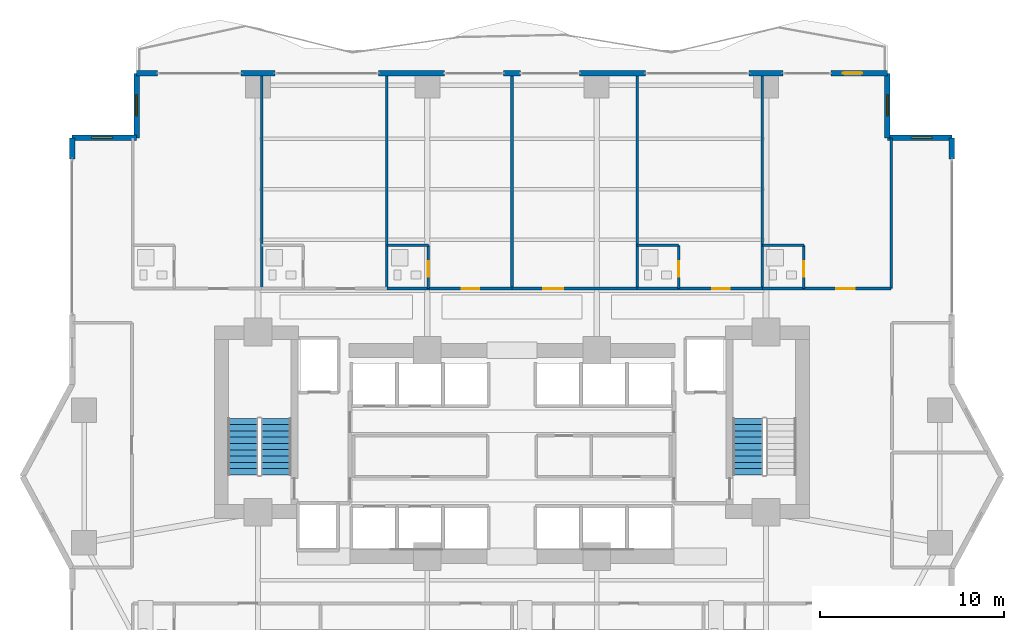
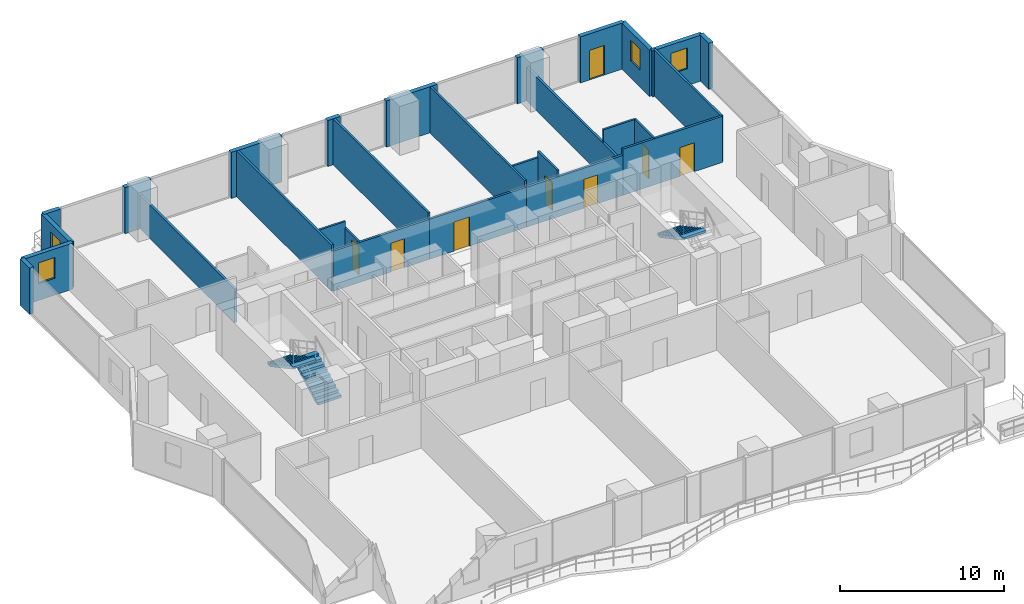
# One storey, part 24 of 30: 29 walls, 8 doors, 4 windows, 3 stair flights, 12 openings, 2 elements without a shape of their own.
"""IFC4 building model written with IfcOpenShell, lengths in metres."""

from ifc_helpers import new_model, si_unit, direction, frame, frame_2d, origin, place, context, subcontext, project, spatial, polyline, rectangle, outline, extrude, material, layer, layer_set, type_object, element, fill, aggregate, save


model = new_model("IFC4")

# Units and contexts
model_context = context("Model", 3, precision=1e-05, world=origin(), true_north=direction((0.0, 1.0)))
body_context = subcontext(model_context, "Body", "Model", "MODEL_VIEW")
ifc_project = project(units=[si_unit("LENGTHUNIT", "METRE"), si_unit("AREAUNIT", "SQUARE_METRE"), si_unit("VOLUMEUNIT", "CUBIC_METRE"), si_unit("PLANEANGLEUNIT", "RADIAN"), si_unit("MASSUNIT", "GRAM", prefix="KILO")], contexts=[model_context])

# Site, building, storey
site_placement = place(None, origin())
site = spatial("IfcSite", under=ifc_project, at=site_placement, CompositionType="ELEMENT")
building_placement = place(site_placement, origin())
building = spatial("IfcBuilding", under=site, at=building_placement, Name="Zuhayl Quay Hotel", CompositionType="ELEMENT")
storey_placement = place(building_placement, frame((0.0, 0.0, 135.800048828125)))
storey = spatial("IfcBuildingStorey", under=building, at=storey_placement, Name="L34", CompositionType="ELEMENT", Elevation=135.800048828125)

# Wall
ifc_material_1 = material(Name="Precast concrete C45/55", Category="concrete")
ifc_layer_1 = layer(ifc_material_1, 0.300048828125, Name="Precast concrete C45/55", Category="concrete")
ifc_layer_set_1 = layer_set([ifc_layer_1], Name="Precast concrete C45/55")
wall_type_1 = type_object("IfcWallType", Name="WL_EXT_300", PredefinedType="STANDARD", material=ifc_layer_set_1)
wall_1_placement = place(storey_placement, frame((-23.89990234375, 23.75, 0.0), z_axis=(0.0, 0.0, 1.0), x_axis=(0.0, 1.0, 0.0)))
element("IfcWall", 1, at=wall_1_placement, inside=storey, type_object=wall_type_1, Name="L34 Exterior Precast Wall ENV_L34_E05_EW2", PredefinedType="STANDARD", context=body_context, shape_type="SweptSolid", body=[
    extrude(rectangle(XDim=1.14990234375, YDim=0.300048828125, at=frame_2d((0.574951171875, 0.0))), origin(), (0.0, 0.0, 1.0), 3.429931640625),
])

# Wall, opening, window
wall_2_placement = place(storey_placement, frame((-23.89990234375, 24.89990234375, 0.0), z_axis=(0.0, 0.0, 1.0), x_axis=(1.0, 0.0, 0.0)))
wall_2 = element("IfcWall", 2, at=wall_2_placement, inside=storey, type_object=wall_type_1, Name="L34 Exterior Precast Wall ENV_L34_EW06", PredefinedType="STANDARD", context=body_context, shape_type="SweptSolid", body=[
    extrude(rectangle(XDim=3.5, YDim=0.300048828125, at=frame_2d((1.75, 0.0))), origin(), (0.0, 0.0, 1.0), 3.429931640625),
])
opening_1_placement = place(wall_2_placement, frame((1.06494140625, 0.0, 1.25)))
opening_1 = element("IfcOpeningElement", 3, at=opening_1_placement, cuts=wall_2, Name="Opening W01N", PredefinedType="OPENING", context=body_context, shape_type="SweptSolid", body=[
    extrude(rectangle(XDim=1.14990234375, YDim=1.550048828125, at=frame_2d((0.574951171875, 0.77490234375))), frame((0.0, 0.159912109375, 0.0), z_axis=(0.0, -1.0, 0.0), x_axis=(1.0, 0.0, 0.0)), (0.0, 0.0, 1.0), 0.320068359375),
])
ifc_material_2 = material(Name="Dark Ceramic-Fritted Solar Glass", Category="glass")
window_type = type_object("IfcWindowType", Name="WN_NOTCH_1350", PartitioningType="SINGLE_PANEL", PredefinedType="WINDOW", material=ifc_material_2)
window_1_placement = place(opening_1_placement, origin())
window_1 = element("IfcWindow", 4, at=window_1_placement, inside=storey, type_object=window_type, Name="L34 Corner Notch Window 6", OverallHeight=1.550048828125, OverallWidth=1.14990234375, PartitioningType="SINGLE_PANEL", PredefinedType="WINDOW", context=body_context, shape_type="SweptSolid", body=[
    extrude(rectangle(XDim=1.14990234375, YDim=1.550048828125, at=frame_2d((0.574951171875, 0.77490234375))), frame((0.0, 0.030029296875, 0.0), z_axis=(0.0, -1.0, 0.0), x_axis=(1.0, 0.0, 0.0)), (0.0, 0.0, 1.0), 0.06005859375),
])
fill(opening_1, window_1)

wall_3_placement = place(storey_placement, frame((-20.39990234375, 24.89990234375, 0.0), z_axis=(0.0, 0.0, 1.0), x_axis=(0.0, 1.0, 0.0)))
wall_3 = element("IfcWall", 5, at=wall_3_placement, inside=storey, type_object=wall_type_1, Name="L34 Exterior Precast Wall ENV_L34_EW07", PredefinedType="STANDARD", context=body_context, shape_type="SweptSolid", body=[
    extrude(rectangle(XDim=3.5, YDim=0.300048828125, at=frame_2d((1.75, 0.0))), origin(), (0.0, 0.0, 1.0), 3.429931640625),
])
opening_2_placement = place(wall_3_placement, frame((1.18505859375, 0.0, 1.25)))
opening_2 = element("IfcOpeningElement", 6, at=opening_2_placement, cuts=wall_3, Name="Opening W01N", PredefinedType="OPENING", context=body_context, shape_type="SweptSolid", body=[
    extrude(rectangle(XDim=1.14990234375, YDim=1.550048828125, at=frame_2d((0.574951171875, 0.77490234375))), frame((0.0, 0.159912109375, 0.0), z_axis=(0.0, -1.0, 0.0), x_axis=(1.0, 0.0, 0.0)), (0.0, 0.0, 1.0), 0.320068359375),
])
window_2_placement = place(opening_2_placement, origin())
window_2 = element("IfcWindow", 7, at=window_2_placement, inside=storey, type_object=window_type, Name="L34 Corner Notch Window 7", OverallHeight=1.550048828125, OverallWidth=1.14990234375, PartitioningType="SINGLE_PANEL", PredefinedType="WINDOW", context=body_context, shape_type="SweptSolid", body=[
    extrude(rectangle(XDim=1.14990234375, YDim=1.550048828125, at=frame_2d((0.574951171875, 0.77490234375))), frame((0.0, 0.030029296875, 0.0), z_axis=(0.0, -1.0, 0.0), x_axis=(1.0, 0.0, 0.0)), (0.0, 0.0, 1.0), 0.06005859375),
])
fill(opening_2, window_2)

# Walls
wall_4_placement = place(storey_placement, frame((-20.39990234375, 28.39990234375, 0.0), z_axis=(0.0, 0.0, 1.0), x_axis=(1.0, 0.0, 0.0)))
element("IfcWall", 8, at=wall_4_placement, inside=storey, type_object=wall_type_1, Name="L34 Exterior Precast Wall ENV_L34_N_EW1", PredefinedType="STANDARD", context=body_context, shape_type="SweptSolid", body=[
    extrude(rectangle(XDim=1.14990234375, YDim=0.300048828125, at=frame_2d((0.574951171875, 0.0))), origin(), (0.0, 0.0, 1.0), 3.429931640625),
])
wall_5_placement = place(storey_placement, frame((-14.719970703125, 28.39990234375, 0.0), z_axis=(0.0, 0.0, 1.0), x_axis=(1.0, 0.0, 0.0)))
element("IfcWall", 9, at=wall_5_placement, inside=storey, type_object=wall_type_1, Name="L34 Exterior Precast Wall ENV_L34_N_EW2", PredefinedType="STANDARD", context=body_context, shape_type="SweptSolid", body=[
    extrude(rectangle(XDim=1.840087890625, YDim=0.300048828125, at=frame_2d((0.919921875, 0.0))), origin(), (0.0, 0.0, 1.0), 3.429931640625),
])
wall_6_placement = place(storey_placement, frame((-7.25, 28.39990234375, 0.0), z_axis=(0.0, 0.0, 1.0), x_axis=(1.0, 0.0, 0.0)))
element("IfcWall", 10, at=wall_6_placement, inside=storey, type_object=wall_type_1, Name="L34 Exterior Precast Wall ENV_L34_N_EW3", PredefinedType="STANDARD", context=body_context, shape_type="SweptSolid", body=[
    extrude(rectangle(XDim=3.570068359375, YDim=0.300048828125, at=frame_2d((1.78515625, 0.0))), origin(), (0.0, 0.0, 1.0), 3.429931640625),
])
wall_7_placement = place(storey_placement, frame((-0.449951171875, 28.39990234375, 0.0), z_axis=(0.0, 0.0, 1.0), x_axis=(1.0, 0.0, 0.0)))
element("IfcWall", 11, at=wall_7_placement, inside=storey, type_object=wall_type_1, Name="L34 Exterior Precast Wall ENV_L34_N_EW4", PredefinedType="STANDARD", context=body_context, shape_type="SweptSolid", body=[
    extrude(rectangle(XDim=0.89990234375, YDim=0.300048828125, at=frame_2d((0.449951171875, 0.0))), origin(), (0.0, 0.0, 1.0), 3.429931640625),
])
wall_8_placement = place(storey_placement, frame((3.679931640625, 28.39990234375, 0.0), z_axis=(0.0, 0.0, 1.0), x_axis=(1.0, 0.0, 0.0)))
element("IfcWall", 12, at=wall_8_placement, inside=storey, type_object=wall_type_1, Name="L34 Exterior Precast Wall ENV_L34_N_EW5", PredefinedType="STANDARD", context=body_context, shape_type="SweptSolid", body=[
    extrude(rectangle(XDim=3.570068359375, YDim=0.300048828125, at=frame_2d((1.78515625, 0.0))), origin(), (0.0, 0.0, 1.0), 3.429931640625),
])
wall_9_placement = place(storey_placement, frame((12.8798828125, 28.39990234375, 0.0), z_axis=(0.0, 0.0, 1.0), x_axis=(1.0, 0.0, 0.0)))
element("IfcWall", 13, at=wall_9_placement, inside=storey, type_object=wall_type_1, Name="L34 Exterior Precast Wall ENV_L34_N_EW6", PredefinedType="STANDARD", context=body_context, shape_type="SweptSolid", body=[
    extrude(rectangle(XDim=1.840087890625, YDim=0.300048828125, at=frame_2d((0.919921875, 0.0))), origin(), (0.0, 0.0, 1.0), 3.429931640625),
])

# Wall, opening, door
wall_10_placement = place(storey_placement, frame((17.324951171875, 28.39990234375, 0.0), z_axis=(0.0, 0.0, 1.0), x_axis=(1.0, 0.0, 0.0)))
wall_10 = element("IfcWall", 14, at=wall_10_placement, inside=storey, type_object=wall_type_1, Name="L34 Exterior Precast Wall ENV_L34_N_EW7", PredefinedType="STANDARD", context=body_context, shape_type="SweptSolid", body=[
    extrude(rectangle(XDim=3.074951171875, YDim=0.300048828125, at=frame_2d((1.53759765625, 0.0))), origin(), (0.0, 0.0, 1.0), 3.429931640625),
])
opening_3_placement = place(wall_10_placement, frame((0.64990234375, 0.0, 0.0)))
opening_3 = element("IfcOpeningElement", 15, at=opening_3_placement, cuts=wall_10, Name="Opening DG1", PredefinedType="OPENING", context=body_context, shape_type="SweptSolid", body=[
    extrude(rectangle(XDim=1.050048828125, YDim=2.199951171875, at=frame_2d((0.52490234375, 1.10009765625))), frame((0.0, 0.159912109375, 0.0), z_axis=(0.0, -1.0, 0.0), x_axis=(1.0, 0.0, 0.0)), (0.0, 0.0, 1.0), 0.320068359375),
])
ifc_material_3 = material(Name="Anodised Aluminium and Dark Solar Glass", Category="aluminium")
door_type_1 = type_object("IfcDoorType", Name="DR_EXT_TERR_1050", OperationType="NOTDEFINED", PredefinedType="DOOR", material=ifc_material_3)
door_1_placement = place(opening_3_placement, origin())
door_1 = element("IfcDoor", 16, at=door_1_placement, inside=storey, type_object=door_type_1, Name="L34 North Rippling Balcony Door", OperationType="SINGLE_SWING_LEFT", OverallHeight=2.199951171875, OverallWidth=1.050048828125, PredefinedType="DOOR", context=body_context, shape_type="SweptSolid", body=[
    extrude(rectangle(XDim=1.050048828125, YDim=2.199951171875, at=frame_2d((0.52490234375, 1.10009765625))), frame((0.0, 0.02490234375, 0.0), z_axis=(0.0, -1.0, 0.0), x_axis=(1.0, 0.0, 0.0)), (0.0, 0.0, 1.0), 0.050048828125),
])
fill(opening_3, door_1)

# Wall, opening, window
wall_11_placement = place(storey_placement, frame((20.39990234375, 28.39990234375, 0.0), z_axis=(0.0, 0.0, 1.0), x_axis=(0.0, -1.0, 0.0)))
wall_11 = element("IfcWall", 17, at=wall_11_placement, inside=storey, type_object=wall_type_1, Name="L34 Exterior Precast Wall ENV_L34_EW09", PredefinedType="STANDARD", context=body_context, shape_type="SweptSolid", body=[
    extrude(rectangle(XDim=3.5, YDim=0.300048828125, at=frame_2d((1.75, 0.0))), origin(), (0.0, 0.0, 1.0), 3.429931640625),
])
opening_4_placement = place(wall_11_placement, frame((1.1650390625, 0.0, 1.25)))
opening_4 = element("IfcOpeningElement", 18, at=opening_4_placement, cuts=wall_11, Name="Opening W01N", PredefinedType="OPENING", context=body_context, shape_type="SweptSolid", body=[
    extrude(rectangle(XDim=1.14990234375, YDim=1.550048828125, at=frame_2d((0.574951171875, 0.77490234375))), frame((0.0, 0.159912109375, 0.0), z_axis=(0.0, -1.0, 0.0), x_axis=(1.0, 0.0, 0.0)), (0.0, 0.0, 1.0), 0.320068359375),
])
window_3_placement = place(opening_4_placement, origin())
window_3 = element("IfcWindow", 19, at=window_3_placement, inside=storey, type_object=window_type, Name="L34 Corner Notch Window 9", OverallHeight=1.550048828125, OverallWidth=1.14990234375, PartitioningType="SINGLE_PANEL", PredefinedType="WINDOW", context=body_context, shape_type="SweptSolid", body=[
    extrude(rectangle(XDim=1.14990234375, YDim=1.550048828125, at=frame_2d((0.574951171875, 0.77490234375))), frame((0.0, 0.030029296875, 0.0), z_axis=(0.0, -1.0, 0.0), x_axis=(1.0, 0.0, 0.0)), (0.0, 0.0, 1.0), 0.06005859375),
])
fill(opening_4, window_3)

wall_12_placement = place(storey_placement, frame((20.39990234375, 24.89990234375, 0.0), z_axis=(0.0, 0.0, 1.0), x_axis=(1.0, 0.0, 0.0)))
wall_12 = element("IfcWall", 20, at=wall_12_placement, inside=storey, type_object=wall_type_1, Name="L34 Exterior Precast Wall ENV_L34_EW10", PredefinedType="STANDARD", context=body_context, shape_type="SweptSolid", body=[
    extrude(rectangle(XDim=3.5, YDim=0.300048828125, at=frame_2d((1.75, 0.0))), origin(), (0.0, 0.0, 1.0), 3.429931640625),
])
opening_5_placement = place(wall_12_placement, frame((1.284912109375, 0.0, 1.25)))
opening_5 = element("IfcOpeningElement", 21, at=opening_5_placement, cuts=wall_12, Name="Opening W01N", PredefinedType="OPENING", context=body_context, shape_type="SweptSolid", body=[
    extrude(rectangle(XDim=1.14990234375, YDim=1.550048828125, at=frame_2d((0.574951171875, 0.77490234375))), frame((0.0, 0.159912109375, 0.0), z_axis=(0.0, -1.0, 0.0), x_axis=(1.0, 0.0, 0.0)), (0.0, 0.0, 1.0), 0.320068359375),
])
window_4_placement = place(opening_5_placement, origin())
window_4 = element("IfcWindow", 22, at=window_4_placement, inside=storey, type_object=window_type, Name="L34 Corner Notch Window 10", OverallHeight=1.550048828125, OverallWidth=1.14990234375, PartitioningType="SINGLE_PANEL", PredefinedType="WINDOW", context=body_context, shape_type="SweptSolid", body=[
    extrude(rectangle(XDim=1.14990234375, YDim=1.550048828125, at=frame_2d((0.574951171875, 0.77490234375))), frame((0.0, 0.030029296875, 0.0), z_axis=(0.0, -1.0, 0.0), x_axis=(1.0, 0.0, 0.0)), (0.0, 0.0, 1.0), 0.06005859375),
])
fill(opening_5, window_4)

# Walls
wall_13_placement = place(storey_placement, frame((23.89990234375, 24.89990234375, 0.0), z_axis=(0.0, 0.0, 1.0), x_axis=(0.0, -1.0, 0.0)))
element("IfcWall", 23, at=wall_13_placement, inside=storey, type_object=wall_type_1, Name="L34 Exterior Precast Wall ENV_L34_E11_EW1", PredefinedType="STANDARD", context=body_context, shape_type="SweptSolid", body=[
    extrude(rectangle(XDim=1.14990234375, YDim=0.300048828125, at=frame_2d((0.574951171875, 0.0))), origin(), (0.0, 0.0, 1.0), 3.429931640625),
])
ifc_material_4 = material(Name="Acoustic Gypsum Partition STC-58")
ifc_layer_2 = layer(ifc_material_4, 0.14990234375, Name="Acoustic Gypsum Partition STC-58")
ifc_layer_set_2 = layer_set([ifc_layer_2], Name="Acoustic Gypsum Partition STC-58")
wall_type_2 = type_object("IfcWallType", Name="WL_PART_150", PredefinedType="PARTITIONING", material=ifc_layer_set_2)
wall_14_placement = place(storey_placement, frame((-13.60009765625, 16.699951171875, 0.0), z_axis=(0.0, 0.0, 1.0), x_axis=(0.0, 1.0, 0.0)))
element("IfcWall", 24, at=wall_14_placement, inside=storey, type_object=wall_type_2, Name="L34 Partition IW_L34_NU01_E", PredefinedType="PARTITIONING", context=body_context, shape_type="SweptSolid", body=[
    extrude(rectangle(XDim=11.6201171875, YDim=0.14990234375, at=frame_2d((5.81005859375, 0.0))), origin(), (0.0, 0.0, 1.0), 2.5029296875),
])
for number, where, z_axis, x_axis, name in (
    (25, (-6.800048828125, 16.699951171875, 0.0), (0.0, 0.0, 1.0), (0.0, 1.0, 0.0), "L34 Partition IW_L34_NU02_E"),
    (26, (0.0, 16.699951171875, 0.0), (0.0, 0.0, 1.0), (0.0, 1.0, 0.0), "L34 Partition IW_L34_NU03_E"),
):
    element("IfcWall", number, at=place(storey_placement, frame(where, z_axis=z_axis, x_axis=x_axis)), inside=storey, type_object=wall_type_2, Name=name, PredefinedType="PARTITIONING", context=body_context, shape_type="SweptSolid", body=[
        extrude(rectangle(XDim=11.6201171875, YDim=0.14990234375, at=frame_2d((5.81005859375, 0.0))), origin(), (0.0, 0.0, 1.0), 3.429931640625),
    ])
wall_15_placement = place(storey_placement, frame((6.800048828125, 16.699951171875, 0.0), z_axis=(0.0, 0.0, 1.0), x_axis=(0.0, 1.0, 0.0)))
element("IfcWall", 27, at=wall_15_placement, inside=storey, type_object=wall_type_2, Name="L34 Partition IW_L34_NSAL_3_E", PredefinedType="PARTITIONING", context=body_context, shape_type="SweptSolid", body=[
    extrude(rectangle(XDim=11.64013671875, YDim=0.14990234375, at=frame_2d((5.820068359375, 0.0))), origin(), (0.0, 0.0, 1.0), 3.429931640625),
])
wall_16_placement = place(storey_placement, frame((13.60009765625, 16.699951171875, 0.0), z_axis=(0.0, 0.0, 1.0), x_axis=(0.0, 1.0, 0.0)))
element("IfcWall", 28, at=wall_16_placement, inside=storey, type_object=wall_type_2, Name="L34 Partition IW_L34_NU05_E", PredefinedType="PARTITIONING", context=body_context, shape_type="SweptSolid", body=[
    extrude(rectangle(XDim=11.6201171875, YDim=0.14990234375, at=frame_2d((5.81005859375, 0.0))), origin(), (0.0, 0.0, 1.0), 2.5029296875),
])
wall_17_placement = place(storey_placement, frame((20.60009765625, 16.699951171875, 0.0), z_axis=(0.0, 0.0, 1.0), x_axis=(0.0, 1.0, 0.0)))
element("IfcWall", 29, at=wall_17_placement, inside=storey, type_object=wall_type_2, Name="L34 Partition IW_L34_NU06_E", PredefinedType="PARTITIONING", context=body_context, shape_type="SweptSolid", body=[
    extrude(rectangle(XDim=8.199951171875, YDim=0.14990234375, at=frame_2d((4.10009765625, 0.0))), origin(), (0.0, 0.0, 1.0), 3.429931640625),
])

# Wall, opening, door
ifc_layer_3 = layer(ifc_material_4, 0.159912109375, Name="Acoustic Gypsum Partition STC-58")
ifc_layer_set_3 = layer_set([ifc_layer_3], Name="Acoustic Gypsum Partition STC-58")
wall_type_3 = type_object("IfcWallType", Name="WL_PART_CORR_160", PredefinedType="PARTITIONING", material=ifc_layer_set_3)
wall_18_placement = place(storey_placement, frame((-6.800048828125, 16.699951171875, 0.0), z_axis=(0.0, 0.0, 1.0), x_axis=(1.0, 0.0, 0.0)))
wall_18 = element("IfcWall", 30, at=wall_18_placement, inside=storey, type_object=wall_type_3, Name="L34 Partition IW_L34_NU03_COR", PredefinedType="PARTITIONING", context=body_context, shape_type="SweptSolid", body=[
    extrude(rectangle(XDim=6.800048828125, YDim=0.159912109375, at=frame_2d((3.39990234375, 0.0))), origin(), (0.0, 0.0, 1.0), 2.972900390625),
])
opening_6_placement = place(wall_18_placement, frame((4.074951171875, 0.0, 0.0)))
opening_6 = element("IfcOpeningElement", 31, at=opening_6_placement, cuts=wall_18, Name="Opening D03", PredefinedType="OPENING", context=body_context, shape_type="SweptSolid", body=[
    extrude(rectangle(XDim=0.949951171875, YDim=2.14990234375, at=frame_2d((0.47509765625, 1.074951171875))), frame((0.0, 0.08984375, 0.0), z_axis=(0.0, -1.0, 0.0), x_axis=(1.0, 0.0, 0.0)), (0.0, 0.0, 1.0), 0.179931640625),
])
ifc_material_5 = material(Name="Solid Walnut Acoustic Fire Door")
door_type_2 = type_object("IfcDoorType", Name="DR_SUITE_950", OperationType="NOTDEFINED", PredefinedType="DOOR", material=ifc_material_5)
door_2_placement = place(opening_6_placement, origin())
door_2 = element("IfcDoor", 32, at=door_2_placement, inside=storey, type_object=door_type_2, Name="L34 Deluxe Gulf Guest Room L34-03 Entrance Door", OperationType="SINGLE_SWING_RIGHT", OverallHeight=2.14990234375, OverallWidth=0.949951171875, PredefinedType="DOOR", context=body_context, shape_type="SweptSolid", body=[
    extrude(rectangle(XDim=0.949951171875, YDim=2.14990234375, at=frame_2d((0.47509765625, 1.074951171875))), frame((0.0, 0.02490234375, 0.0), z_axis=(0.0, -1.0, 0.0), x_axis=(1.0, 0.0, 0.0)), (0.0, 0.0, 1.0), 0.050048828125),
])
fill(opening_6, door_2)

wall_19_placement = place(storey_placement, frame((0.0, 16.699951171875, 0.0), z_axis=(0.0, 0.0, 1.0), x_axis=(1.0, 0.0, 0.0)))
wall_19 = element("IfcWall", 33, at=wall_19_placement, inside=storey, type_object=wall_type_3, Name="L34 Partition IW_L34_NSAL_3_S", PredefinedType="PARTITIONING", context=body_context, shape_type="SweptSolid", body=[
    extrude(rectangle(XDim=6.800048828125, YDim=0.159912109375, at=frame_2d((3.39990234375, 0.0))), origin(), (0.0, 0.0, 1.0), 2.972900390625),
])
opening_7_placement = place(wall_19_placement, frame((1.7099609375, 0.0, 0.0)))
opening_7 = element("IfcOpeningElement", 34, at=opening_7_placement, cuts=wall_19, Name="Opening D05A", PredefinedType="OPENING", context=body_context, shape_type="SweptSolid", body=[
    extrude(rectangle(XDim=1.080078125, YDim=2.179931640625, at=frame_2d((0.5400390625, 1.08984375))), frame((0.0, 0.08984375, 0.0), z_axis=(0.0, -1.0, 0.0), x_axis=(1.0, 0.0, 0.0)), (0.0, 0.0, 1.0), 0.179931640625),
])
door_type_3 = type_object("IfcDoorType", Name="DR_INT_1100", OperationType="NOTDEFINED", PredefinedType="DOOR", material=ifc_material_5)
door_3_placement = place(opening_7_placement, origin())
door_3 = element("IfcDoor", 35, at=door_3_placement, inside=storey, type_object=door_type_3, Name="L34 Private Dining Salon Door", OperationType="SINGLE_SWING_LEFT", OverallHeight=2.179931640625, OverallWidth=1.080078125, PredefinedType="DOOR", context=body_context, shape_type="SweptSolid", body=[
    extrude(rectangle(XDim=1.080078125, YDim=2.179931640625, at=frame_2d((0.5400390625, 1.08984375))), frame((0.0, 0.02490234375, 0.0), z_axis=(0.0, -1.0, 0.0), x_axis=(1.0, 0.0, 0.0)), (0.0, 0.0, 1.0), 0.050048828125),
])
fill(opening_7, door_3)

wall_20_placement = place(storey_placement, frame((6.800048828125, 16.699951171875, 0.0), z_axis=(0.0, 0.0, 1.0), x_axis=(1.0, 0.0, 0.0)))
wall_20 = element("IfcWall", 36, at=wall_20_placement, inside=storey, type_object=wall_type_3, Name="L34 Partition IW_L34_NU05_COR", PredefinedType="PARTITIONING", context=body_context, shape_type="SweptSolid", body=[
    extrude(rectangle(XDim=6.800048828125, YDim=0.159912109375, at=frame_2d((3.39990234375, 0.0))), origin(), (0.0, 0.0, 1.0), 2.972900390625),
])
opening_8_placement = place(wall_20_placement, frame((4.074951171875, 0.0, 0.0)))
opening_8 = element("IfcOpeningElement", 37, at=opening_8_placement, cuts=wall_20, Name="Opening D03", PredefinedType="OPENING", context=body_context, shape_type="SweptSolid", body=[
    extrude(rectangle(XDim=0.949951171875, YDim=2.14990234375, at=frame_2d((0.47509765625, 1.074951171875))), frame((0.0, 0.08984375, 0.0), z_axis=(0.0, -1.0, 0.0), x_axis=(1.0, 0.0, 0.0)), (0.0, 0.0, 1.0), 0.179931640625),
])
door_4_placement = place(opening_8_placement, origin())
door_4 = element("IfcDoor", 38, at=door_4_placement, inside=storey, type_object=door_type_2, Name="L34 Deluxe Gulf Guest Room L34-05 Entrance Door", OperationType="SINGLE_SWING_LEFT", OverallHeight=2.14990234375, OverallWidth=0.949951171875, PredefinedType="DOOR", context=body_context, shape_type="SweptSolid", body=[
    extrude(rectangle(XDim=0.949951171875, YDim=2.14990234375, at=frame_2d((0.47509765625, 1.074951171875))), frame((0.0, 0.02490234375, 0.0), z_axis=(0.0, -1.0, 0.0), x_axis=(1.0, 0.0, 0.0)), (0.0, 0.0, 1.0), 0.050048828125),
])
fill(opening_8, door_4)

wall_21_placement = place(storey_placement, frame((13.60009765625, 16.699951171875, 0.0), z_axis=(0.0, 0.0, 1.0), x_axis=(1.0, 0.0, 0.0)))
wall_21 = element("IfcWall", 39, at=wall_21_placement, inside=storey, type_object=wall_type_3, Name="L34 Partition IW_L34_NU06_COR", PredefinedType="PARTITIONING", context=body_context, shape_type="SweptSolid", body=[
    extrude(rectangle(XDim=7.0, YDim=0.159912109375, at=frame_2d((3.5, 0.0))), origin(), (0.0, 0.0, 1.0), 3.429931640625),
])
opening_9_placement = place(wall_21_placement, frame((4.02490234375, 0.0, 0.0)))
opening_9 = element("IfcOpeningElement", 40, at=opening_9_placement, cuts=wall_21, Name="Opening D03L", PredefinedType="OPENING", context=body_context, shape_type="SweptSolid", body=[
    extrude(rectangle(XDim=1.0, YDim=2.14990234375, at=frame_2d((0.5, 1.074951171875))), frame((0.0, 0.08984375, 0.0), z_axis=(0.0, -1.0, 0.0), x_axis=(1.0, 0.0, 0.0)), (0.0, 0.0, 1.0), 0.179931640625),
])
door_type_4 = type_object("IfcDoorType", Name="DR_SUITE_1000", OperationType="NOTDEFINED", PredefinedType="DOOR", material=ifc_material_5)
door_5_placement = place(opening_9_placement, origin())
door_5 = element("IfcDoor", 41, at=door_5_placement, inside=storey, type_object=door_type_4, Name="L34 Deluxe Gulf Junior Suite L34-06 Entrance Door", OperationType="SINGLE_SWING_LEFT", OverallHeight=2.14990234375, OverallWidth=1.0, PredefinedType="DOOR", context=body_context, shape_type="SweptSolid", body=[
    extrude(rectangle(XDim=1.0, YDim=2.14990234375, at=frame_2d((0.5, 1.074951171875))), frame((0.0, 0.02490234375, 0.0), z_axis=(0.0, -1.0, 0.0), x_axis=(1.0, 0.0, 0.0)), (0.0, 0.0, 1.0), 0.050048828125),
])
fill(opening_9, door_5)

ifc_material_6 = material(Name="Moisture-Resistant Sanitarychase Gypsum")
ifc_layer_4 = layer(ifc_material_6, 0.135009765625, Name="Moisture-Resistant Sanitarychase Gypsum")
ifc_layer_set_4 = layer_set([ifc_layer_4], Name="Moisture-Resistant Sanitarychase Gypsum")
wall_type_4 = type_object("IfcWallType", Name="WL_PART_PLUMB_150", PredefinedType="PLUMBINGWALL", material=ifc_layer_set_4)
wall_22_placement = place(storey_placement, frame((-4.5400390625, 16.699951171875, 0.0), z_axis=(0.0, 0.0, 1.0), x_axis=(0.0, 1.0, 0.0)))
wall_22 = element("IfcWall", 42, at=wall_22_placement, inside=storey, type_object=wall_type_4, Name="L34 Partition IW_L34_NU03_BE", PredefinedType="PLUMBINGWALL", context=body_context, shape_type="SweptSolid", body=[
    extrude(rectangle(XDim=2.360107421875, YDim=0.135009765625, at=frame_2d((1.18017578125, 0.0))), origin(), (0.0, 0.0, 1.0), 2.5029296875),
])
opening_10_placement = place(wall_22_placement, frame((0.64990234375, 0.0, 0.0)))
opening_10 = element("IfcOpeningElement", 43, at=opening_10_placement, cuts=wall_22, Name="Opening D04", PredefinedType="OPENING", context=body_context, shape_type="SweptSolid", body=[
    extrude(rectangle(XDim=0.85009765625, YDim=2.10009765625, at=frame_2d((0.425048828125, 1.050048828125))), frame((0.0, 0.077392578125, 0.0), z_axis=(0.0, -1.0, 0.0), x_axis=(1.0, 0.0, 0.0)), (0.0, 0.0, 1.0), 0.155029296875),
])
ifc_material_7 = material(Name="Moisture-Resistant Walnut Veneer")
door_type_5 = type_object("IfcDoorType", Name="DR_BATH_850", OperationType="NOTDEFINED", PredefinedType="DOOR", material=ifc_material_7)
door_6_placement = place(opening_10_placement, origin())
door_6 = element("IfcDoor", 44, at=door_6_placement, inside=storey, type_object=door_type_5, Name="L34 Deluxe Gulf Guest Room L34-03 En-Suite Door", OperationType="SINGLE_SWING_LEFT", OverallHeight=2.10009765625, OverallWidth=0.85009765625, PredefinedType="DOOR", context=body_context, shape_type="SweptSolid", body=[
    extrude(rectangle(XDim=0.85009765625, YDim=2.10009765625, at=frame_2d((0.425048828125, 1.050048828125))), frame((0.0, 0.02490234375, 0.0), z_axis=(0.0, -1.0, 0.0), x_axis=(1.0, 0.0, 0.0)), (0.0, 0.0, 1.0), 0.050048828125),
])
fill(opening_10, door_6)

wall_23_placement = place(storey_placement, frame((9.06005859375, 16.699951171875, 0.0), z_axis=(0.0, 0.0, 1.0), x_axis=(0.0, 1.0, 0.0)))
wall_23 = element("IfcWall", 45, at=wall_23_placement, inside=storey, type_object=wall_type_4, Name="L34 Partition IW_L34_NU05_BE", PredefinedType="PLUMBINGWALL", context=body_context, shape_type="SweptSolid", body=[
    extrude(rectangle(XDim=2.360107421875, YDim=0.135009765625, at=frame_2d((1.18017578125, 0.0))), origin(), (0.0, 0.0, 1.0), 3.429931640625),
])
opening_11_placement = place(wall_23_placement, frame((0.64990234375, 0.0, 0.0)))
opening_11 = element("IfcOpeningElement", 46, at=opening_11_placement, cuts=wall_23, Name="Opening D04", PredefinedType="OPENING", context=body_context, shape_type="SweptSolid", body=[
    extrude(rectangle(XDim=0.85009765625, YDim=2.10009765625, at=frame_2d((0.425048828125, 1.050048828125))), frame((0.0, 0.077392578125, 0.0), z_axis=(0.0, -1.0, 0.0), x_axis=(1.0, 0.0, 0.0)), (0.0, 0.0, 1.0), 0.155029296875),
])
door_7_placement = place(opening_11_placement, origin())
door_7 = element("IfcDoor", 47, at=door_7_placement, inside=storey, type_object=door_type_5, Name="L34 Deluxe Gulf Guest Room L34-05 En-Suite Door", OperationType="SINGLE_SWING_RIGHT", OverallHeight=2.10009765625, OverallWidth=0.85009765625, PredefinedType="DOOR", context=body_context, shape_type="SweptSolid", body=[
    extrude(rectangle(XDim=0.85009765625, YDim=2.10009765625, at=frame_2d((0.425048828125, 1.050048828125))), frame((0.0, 0.02490234375, 0.0), z_axis=(0.0, -1.0, 0.0), x_axis=(1.0, 0.0, 0.0)), (0.0, 0.0, 1.0), 0.050048828125),
])
fill(opening_11, door_7)

wall_24_placement = place(storey_placement, frame((15.860107421875, 16.699951171875, 0.0), z_axis=(0.0, 0.0, 1.0), x_axis=(0.0, 1.0, 0.0)))
wall_24 = element("IfcWall", 48, at=wall_24_placement, inside=storey, type_object=wall_type_4, Name="L34 Partition IW_L34_NU06_BE", PredefinedType="PLUMBINGWALL", context=body_context, shape_type="SweptSolid", body=[
    extrude(rectangle(XDim=2.360107421875, YDim=0.135009765625, at=frame_2d((1.18017578125, 0.0))), origin(), (0.0, 0.0, 1.0), 3.429931640625),
])
opening_12_placement = place(wall_24_placement, frame((0.64990234375, 0.0, 0.0)))
opening_12 = element("IfcOpeningElement", 49, at=opening_12_placement, cuts=wall_24, Name="Opening D04", PredefinedType="OPENING", context=body_context, shape_type="SweptSolid", body=[
    extrude(rectangle(XDim=0.85009765625, YDim=2.10009765625, at=frame_2d((0.425048828125, 1.050048828125))), frame((0.0, 0.077392578125, 0.0), z_axis=(0.0, -1.0, 0.0), x_axis=(1.0, 0.0, 0.0)), (0.0, 0.0, 1.0), 0.155029296875),
])
door_8_placement = place(opening_12_placement, origin())
door_8 = element("IfcDoor", 50, at=door_8_placement, inside=storey, type_object=door_type_5, Name="L34 Deluxe Gulf Junior Suite L34-06 En-Suite Door", OperationType="SINGLE_SWING_RIGHT", OverallHeight=2.10009765625, OverallWidth=0.85009765625, PredefinedType="DOOR", context=body_context, shape_type="SweptSolid", body=[
    extrude(rectangle(XDim=0.85009765625, YDim=2.10009765625, at=frame_2d((0.425048828125, 1.050048828125))), frame((0.0, 0.02490234375, 0.0), z_axis=(0.0, -1.0, 0.0), x_axis=(1.0, 0.0, 0.0)), (0.0, 0.0, 1.0), 0.050048828125),
])
fill(opening_12, door_8)

# Walls
for number, where, z_axis, x_axis, name in (
    (51, (-6.800048828125, 19.06005859375, 0.0), (0.0, 0.0, 1.0), (1.0, 0.0, 0.0), "L34 Partition IW_L34_NU03_BN"),
    (52, (6.800048828125, 19.06005859375, 0.0), (0.0, 0.0, 1.0), (1.0, 0.0, 0.0), "L34 Partition IW_L34_NU05_BN"),
):
    element("IfcWall", number, at=place(storey_placement, frame(where, z_axis=z_axis, x_axis=x_axis)), inside=storey, type_object=wall_type_4, Name=name, PredefinedType="PLUMBINGWALL", context=body_context, shape_type="SweptSolid", body=[
        extrude(rectangle(XDim=2.260009765625, YDim=0.135009765625, at=frame_2d((1.1298828125, 0.0))), origin(), (0.0, 0.0, 1.0), 2.972900390625),
    ])
wall_25_placement = place(storey_placement, frame((13.60009765625, 19.06005859375, 0.0), z_axis=(0.0, 0.0, 1.0), x_axis=(1.0, 0.0, 0.0)))
element("IfcWall", 53, at=wall_25_placement, inside=storey, type_object=wall_type_4, Name="L34 Partition IW_L34_NU06_BN", PredefinedType="PLUMBINGWALL", context=body_context, shape_type="SweptSolid", body=[
    extrude(rectangle(XDim=2.260009765625, YDim=0.135009765625, at=frame_2d((1.1298828125, 0.0))), origin(), (0.0, 0.0, 1.0), 3.429931640625),
])

# Stair, stair flights
ifc_material_8 = material(Name="Concrete C45/55", Category="concrete")
stair_type = type_object("IfcStairType", Name="ST_DOGLEG_TOWER", PredefinedType="HALF_TURN_STAIR", material=ifc_material_8)
stair_1_placement = place(storey_placement, origin())
stair_1 = element("IfcStair", 54, at=stair_1_placement, inside=storey, type_object=stair_type, Name="L34 Smokeproof Exit Stair ST1", PredefinedType="HALF_TURN_STAIR")
ifc_layer_5 = layer(ifc_material_8, 0.159912109375, Name="Concrete C45/55", Category="concrete")
ifc_layer_set_5 = layer_set([ifc_layer_5], Name="Concrete C45/55")
stair_flight_type = type_object("IfcStairFlightType", Name="SF_CONC_164", PredefinedType="STRAIGHT", material=ifc_layer_set_5)
stair_flight_1_placement = place(storey_placement, frame((-12.820068359375, 6.590087890625, 0.0), z_axis=(0.0, 0.0, 1.0), x_axis=(0.0, 1.0, 0.0)))
stair_flight_1 = element("IfcStairFlight", 55, at=stair_flight_1_placement, type_object=stair_flight_type, Name="ST1 flight 1", NumberOfRisers=10, NumberOfTreads=9, PredefinedType="STRAIGHT", RiserHeight=0.1825, TreadLength=0.34, context=body_context, shape_type="SweptSolid", body=[
    extrude(outline(polyline([(0.0, 0.0), (0.0, 0.1826171875), (0.340087890625, 0.1826171875), (0.340087890625, 0.364990234375), (0.679931640625, 0.364990234375), (0.679931640625, 0.547607421875), (1.02001953125, 0.547607421875), (1.02001953125, 0.72998046875), (1.360107421875, 0.72998046875), (1.360107421875, 0.91259765625), (1.699951171875, 0.91259765625), (1.699951171875, 1.094970703125), (2.0400390625, 1.094970703125), (2.0400390625, 1.277587890625), (2.3798828125, 1.277587890625), (2.3798828125, 1.4599609375), (2.719970703125, 1.4599609375), (2.719970703125, 1.642578125), (3.06005859375, 1.642578125), (3.06005859375, 1.824951171875), (3.06005859375, 1.472412109375), (0.31689453125, 0.0), (0.0, 0.0)])), frame((0.0, 0.81982421875, 0.0), z_axis=(0.0, -1.0, 0.0), x_axis=(1.0, 0.0, 0.0)), (0.0, 0.0, 1.0), 1.639892578125),
])
stair_flight_2_placement = place(storey_placement, frame((-14.610107421875, 9.64990234375, 1.824951171875), z_axis=(0.0, 0.0, 1.0), x_axis=(0.0, -1.0, 0.0)))
stair_flight_2 = element("IfcStairFlight", 56, at=stair_flight_2_placement, type_object=stair_flight_type, Name="ST1 flight 2", NumberOfRisers=10, NumberOfTreads=9, PredefinedType="STRAIGHT", RiserHeight=0.1825, TreadLength=0.34, context=body_context, shape_type="SweptSolid", body=[
    extrude(outline(polyline([(0.0, 0.0), (0.0, 0.1826171875), (0.340087890625, 0.1826171875), (0.340087890625, 0.364990234375), (0.679931640625, 0.364990234375), (0.679931640625, 0.547607421875), (1.02001953125, 0.547607421875), (1.02001953125, 0.72998046875), (1.360107421875, 0.72998046875), (1.360107421875, 0.91259765625), (1.699951171875, 0.91259765625), (1.699951171875, 1.094970703125), (2.0400390625, 1.094970703125), (2.0400390625, 1.277587890625), (2.3798828125, 1.277587890625), (2.3798828125, 1.4599609375), (2.719970703125, 1.4599609375), (2.719970703125, 1.642578125), (3.06005859375, 1.642578125), (3.06005859375, 1.824951171875), (3.06005859375, 1.472412109375), (0.31689453125, 0.0), (0.0, 0.0)])), frame((0.0, 0.81982421875, 0.0), z_axis=(0.0, -1.0, 0.0), x_axis=(1.0, 0.0, 0.0)), (0.0, 0.0, 1.0), 1.639892578125),
])
aggregate(stair_1, [stair_flight_1, stair_flight_2])

# Stair, stair flight
stair_2_placement = place(storey_placement, origin())
stair_2 = element("IfcStair", 57, at=stair_2_placement, inside=storey, type_object=stair_type, Name="L34 Smokeproof Exit Stair ST2", PredefinedType="HALF_TURN_STAIR")
stair_flight_3_placement = place(storey_placement, frame((12.820068359375, 9.64990234375, 1.824951171875), z_axis=(0.0, 0.0, 1.0), x_axis=(0.0, -1.0, 0.0)))
stair_flight_3 = element("IfcStairFlight", 58, at=stair_flight_3_placement, type_object=stair_flight_type, Name="ST2 flight 2", NumberOfRisers=10, NumberOfTreads=9, PredefinedType="STRAIGHT", RiserHeight=0.1825, TreadLength=0.34, context=body_context, shape_type="SweptSolid", body=[
    extrude(outline(polyline([(0.0, 0.0), (0.0, 0.1826171875), (0.340087890625, 0.1826171875), (0.340087890625, 0.364990234375), (0.679931640625, 0.364990234375), (0.679931640625, 0.547607421875), (1.02001953125, 0.547607421875), (1.02001953125, 0.72998046875), (1.360107421875, 0.72998046875), (1.360107421875, 0.91259765625), (1.699951171875, 0.91259765625), (1.699951171875, 1.094970703125), (2.0400390625, 1.094970703125), (2.0400390625, 1.277587890625), (2.3798828125, 1.277587890625), (2.3798828125, 1.4599609375), (2.719970703125, 1.4599609375), (2.719970703125, 1.642578125), (3.06005859375, 1.642578125), (3.06005859375, 1.824951171875), (3.06005859375, 1.472412109375), (0.31689453125, 0.0), (0.0, 0.0)])), frame((0.0, 0.81982421875, 0.0), z_axis=(0.0, -1.0, 0.0), x_axis=(1.0, 0.0, 0.0)), (0.0, 0.0, 1.0), 1.639892578125),
])
aggregate(stair_2, [stair_flight_3])

save(model, "model.ifc")
